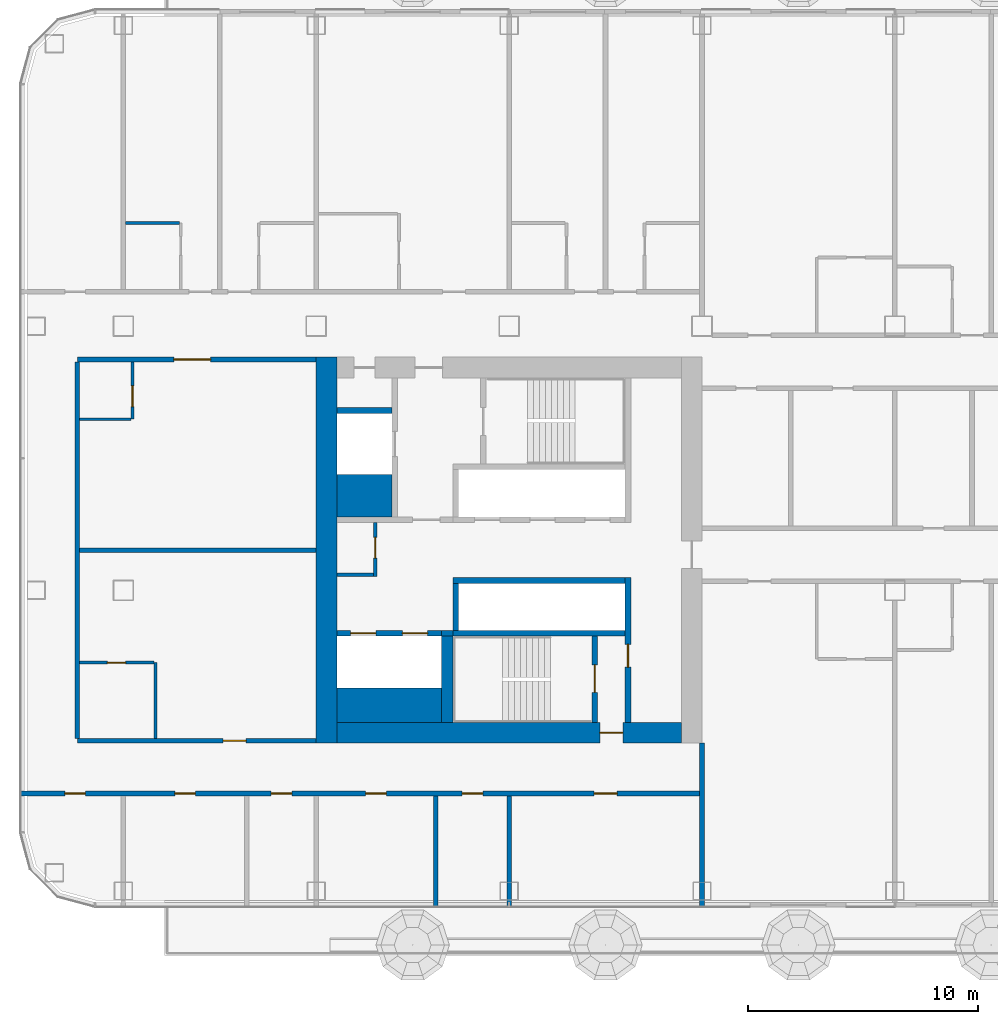
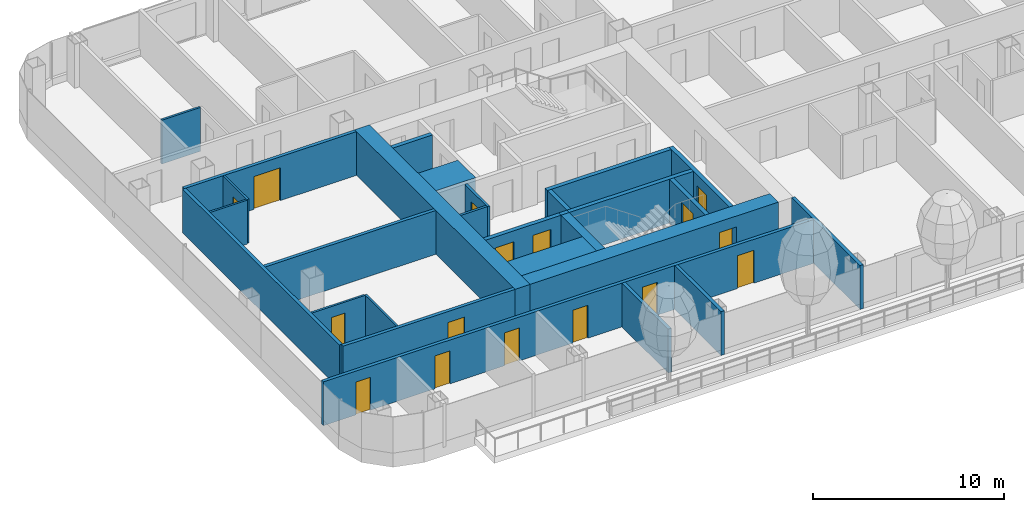
# One storey, part 11 of 33: 28 walls, 16 doors, 16 openings.
"""IFC4 building model written with IfcOpenShell, lengths in metres."""

from ifc_helpers import new_model, si_unit, direction, frame, frame_2d, origin, place, context, subcontext, project, spatial, rectangle, extrude, material, layer, layer_set, type_object, element, fill, save


model = new_model("IFC4")

# Units and contexts
model_context = context("Model", 3, precision=1e-05, world=origin(), true_north=direction((0.0, 1.0)))
body_context = subcontext(model_context, "Body", "Model", "MODEL_VIEW")
ifc_project = project(units=[si_unit("LENGTHUNIT", "METRE"), si_unit("AREAUNIT", "SQUARE_METRE"), si_unit("VOLUMEUNIT", "CUBIC_METRE"), si_unit("PLANEANGLEUNIT", "RADIAN"), si_unit("MASSUNIT", "GRAM", prefix="KILO")], contexts=[model_context])

# Site, building, storey
site_placement = place(None, origin())
site = spatial("IfcSite", under=ifc_project, at=site_placement, CompositionType="ELEMENT")
building_placement = place(site_placement, origin())
building = spatial("IfcBuilding", under=site, at=building_placement, Name="Hakoniwa Tower and Hamabe Station Hall", CompositionType="ELEMENT")
storey_placement = place(building_placement, frame((0.0, 0.0, 81.800048828125)))
storey = spatial("IfcBuildingStorey", under=building, at=storey_placement, Name="L22", CompositionType="ELEMENT", Elevation=81.800048828125)

# Wall, opening, door
ifc_material_1 = material(Name="Gypsum board partition", Category="gypsum")
ifc_layer_1 = layer(ifc_material_1, 0.125)
ifc_layer_set_1 = layer_set([ifc_layer_1], Name="Bathroom Partition 125")
wall_type_1 = type_object("IfcWallType", Name="Bathroom Partition 125", PredefinedType="PARTITIONING", material=ifc_layer_set_1)
wall_1_placement = place(storey_placement, frame((-43.89990234375, -4.89990234375, 0.0), z_axis=(0.0, 0.0, 1.0), x_axis=(1.0, 0.0, 0.0)))
wall_1 = element("IfcWall", 1, at=wall_1_placement, inside=storey, type_object=wall_type_1, Name="GW-L22-006", PredefinedType="PARTITIONING", context=body_context, shape_type="SweptSolid", body=[
    extrude(rectangle(XDim=3.2373046875, YDim=0.125, at=frame_2d((1.61865234375, 0.0))), origin(), (0.0, 0.0, 1.0), 2.800048828125),
])
opening_1_placement = place(wall_1_placement, frame((1.199951171875, 0.0, 0.0)))
opening_1 = element("IfcOpeningElement", 2, at=opening_1_placement, cuts=wall_1, Name="Opening GD-G2C0-15", PredefinedType="OPENING", context=body_context, shape_type="SweptSolid", body=[
    extrude(rectangle(XDim=0.800048828125, YDim=2.10009765625, at=frame_2d((0.39990234375, 1.050048828125))), frame((0.0, 0.072509765625, 0.0), z_axis=(0.0, -1.0, 0.0), x_axis=(1.0, 0.0, 0.0)), (0.0, 0.0, 1.0), 0.14501953125),
])
ifc_material_2 = material(Name="Timber door leaf", Category="wood")
door_type_1 = type_object("IfcDoorType", Name="Bathroom Door 800", OperationType="SINGLE_SWING_LEFT", PredefinedType="DOOR", material=ifc_material_2)
door_1_placement = place(opening_1_placement, origin())
door_1 = element("IfcDoor", 3, at=door_1_placement, inside=storey, type_object=door_type_1, Name="Door GD-G2C0-15", OperationType="SINGLE_SWING_LEFT", OverallHeight=2.10009765625, OverallWidth=0.800048828125, PredefinedType="DOOR", context=body_context, shape_type="SweptSolid", body=[
    extrude(rectangle(XDim=0.800048828125, YDim=2.10009765625, at=frame_2d((0.39990234375, 1.050048828125))), frame((0.0, 0.02490234375, 0.0), z_axis=(0.0, -1.0, 0.0), x_axis=(1.0, 0.0, 0.0)), (0.0, 0.0, 1.0), 0.050048828125),
])
fill(opening_1, door_1)

# Walls
wall_2_placement = place(storey_placement, frame((-41.89990234375, 14.25, 0.0), z_axis=(0.0, 0.0, 1.0), x_axis=(1.0, 0.0, 0.0)))
element("IfcWall", 4, at=wall_2_placement, inside=storey, type_object=wall_type_1, Name="GW-L22-027", PredefinedType="PARTITIONING", context=body_context, shape_type="SweptSolid", body=[
    extrude(rectangle(XDim=2.33740234375, YDim=0.125, at=frame_2d((1.168701171875, 0.0))), origin(), (0.0, 0.0, 1.0), 2.800048828125),
])
wall_3_placement = place(storey_placement, frame((-40.60009765625, -8.199951171875, 0.0), z_axis=(0.0, 0.0, 1.0), x_axis=(0.0, 1.0, 0.0)))
element("IfcWall", 5, at=wall_3_placement, inside=storey, type_object=wall_type_1, Name="GW-L22-040", PredefinedType="PARTITIONING", context=body_context, shape_type="SweptSolid", body=[
    extrude(rectangle(XDim=3.300048828125, YDim=0.125, at=frame_2d((1.64990234375, 0.0))), origin(), (0.0, 0.0, 1.0), 2.800048828125),
])

# Wall, opening, door
ifc_material_3 = material(Name="Gypsum board partition")
ifc_layer_2 = layer(ifc_material_3, 0.14990234375)
ifc_layer_set_2 = layer_set([ifc_layer_2], Name="CORE PARTITION 150 EI 60")
wall_type_2 = type_object("IfcWallType", Name="CORE PARTITION 150 EI 60", PredefinedType="PARTITIONING", material=ifc_layer_set_2)
wall_4_placement = place(storey_placement, frame((-31.02490234375, -1.14990234375, 0.0), z_axis=(0.0, 0.0, 1.0), x_axis=(0.0, 1.0, 0.0)))
wall_4 = element("IfcWall", 6, at=wall_4_placement, inside=storey, type_object=wall_type_2, Name="Core partition PW0 west", PredefinedType="PARTITIONING", context=body_context, shape_type="SweptSolid", body=[
    extrude(rectangle(XDim=2.349853515625, YDim=0.14990234375, at=frame_2d((1.1748046875, 0.0))), origin(), (0.0, 0.0, 1.0), 2.800048828125),
])
opening_2_placement = place(wall_4_placement, frame((0.800048828125, 0.0, 0.0)))
opening_2 = element("IfcOpeningElement", 7, at=opening_2_placement, cuts=wall_4, Name="Opening CD-W-RM1-9", PredefinedType="OPENING", context=body_context, shape_type="SweptSolid", body=[
    extrude(rectangle(XDim=0.89990234375, YDim=2.10009765625, at=frame_2d((0.449951171875, 1.050048828125))), frame((0.0, 0.0849609375, 0.0), z_axis=(0.0, -1.0, 0.0), x_axis=(1.0, 0.0, 0.0)), (0.0, 0.0, 1.0), 0.169921875),
])
ifc_material_4 = material(Name="Steel fire door", Category="steel")
door_type_2 = type_object("IfcDoorType", Name="CORE DOOR 900 FD30", OperationType="NOTDEFINED", PredefinedType="DOOR", material=ifc_material_4)
door_2_placement = place(opening_2_placement, origin())
door_2 = element("IfcDoor", 8, at=door_2_placement, inside=storey, type_object=door_type_2, Name="Store room door", OperationType="SINGLE_SWING_RIGHT", OverallHeight=2.10009765625, OverallWidth=0.89990234375, PredefinedType="DOOR", context=body_context, shape_type="SweptSolid", body=[
    extrude(rectangle(XDim=0.89990234375, YDim=2.10009765625, at=frame_2d((0.449951171875, 1.050048828125))), frame((0.0, 0.02490234375, 0.0), z_axis=(0.0, -1.0, 0.0), x_axis=(1.0, 0.0, 0.0)), (0.0, 0.0, 1.0), 0.050048828125),
])
fill(opening_2, door_2)

# Walls
wall_5_placement = place(storey_placement, frame((-32.699951171875, -1.074951171875, 0.0), z_axis=(0.0, 0.0, 1.0), x_axis=(1.0, 0.0, 0.0)))
element("IfcWall", 9, at=wall_5_placement, inside=storey, type_object=wall_type_2, Name="Core partition PS west", PredefinedType="PARTITIONING", context=body_context, shape_type="SweptSolid", body=[
    extrude(rectangle(XDim=1.599853515625, YDim=0.14990234375, at=frame_2d((0.7998046875, 0.0))), origin(), (0.0, 0.0, 1.0), 2.800048828125),
])
ifc_material_5 = material(Name="Concrete C72", Category="concrete")
ifc_layer_3 = layer(ifc_material_5, 0.89990234375)
ifc_layer_set_3 = layer_set([ifc_layer_3], Name="CORE WALL 900 C72")
wall_type_3 = type_object("IfcWallType", Name="CORE WALL 900 C72", PredefinedType="SHEAR", material=ifc_layer_set_3)
wall_6_placement = place(storey_placement, frame((-33.14990234375, -8.39990234375, 0.0), z_axis=(0.0, 0.0, 1.0), x_axis=(0.0, 1.0, 0.0)))
element("IfcWall", 10, at=wall_6_placement, inside=storey, type_object=wall_type_3, Name="Core wall OUTER west", PredefinedType="SHEAR", context=body_context, shape_type="SweptSolid", body=[
    extrude(rectangle(XDim=16.7998046875, YDim=0.89990234375, at=frame_2d((8.39990234375, 0.0))), origin(), (0.0, 0.0, 1.0), 2.800048828125),
])

# Wall, opening, door
wall_7_placement = place(storey_placement, frame((-32.699951171875, -7.949951171875, 0.0), z_axis=(0.0, 0.0, 1.0), x_axis=(1.0, 0.0, 0.0)))
wall_7 = element("IfcWall", 11, at=wall_7_placement, inside=storey, type_object=wall_type_3, Name="Core wall SOUTH west", PredefinedType="SHEAR", context=body_context, shape_type="SweptSolid", body=[
    extrude(rectangle(XDim=15.0, YDim=0.89990234375, at=frame_2d((7.5, 0.0))), origin(), (0.0, 0.0, 1.0), 2.800048828125),
])
opening_3_placement = place(wall_7_placement, frame((11.449951171875, 0.0, 0.0)))
opening_3 = element("IfcOpeningElement", 12, at=opening_3_placement, cuts=wall_7, Name="Opening CD-W-FS3-10", PredefinedType="OPENING", context=body_context, shape_type="SweptSolid", body=[
    extrude(rectangle(XDim=1.0, YDim=2.10009765625, at=frame_2d((0.5, 1.050048828125))), frame((0.0, 0.4599609375, 0.0), z_axis=(0.0, -1.0, 0.0), x_axis=(1.0, 0.0, 0.0)), (0.0, 0.0, 1.0), 0.919921875),
])
ifc_material_6 = material(Name="Steel fire door", Category="steel")
door_type_3 = type_object("IfcDoorType", Name="CORE DOOR 1000 FD60", OperationType="NOTDEFINED", PredefinedType="DOOR", material=ifc_material_6)
door_3_placement = place(opening_3_placement, origin())
door_3 = element("IfcDoor", 13, at=door_3_placement, inside=storey, type_object=door_type_3, Name="Stair vestibule door", OperationType="SINGLE_SWING_LEFT", OverallHeight=2.10009765625, OverallWidth=1.0, PredefinedType="DOOR", context=body_context, shape_type="SweptSolid", body=[
    extrude(rectangle(XDim=1.0, YDim=2.10009765625, at=frame_2d((0.5, 1.050048828125))), frame((0.0, 0.02490234375, 0.0), z_axis=(0.0, -1.0, 0.0), x_axis=(1.0, 0.0, 0.0)), (0.0, 0.0, 1.0), 0.050048828125),
])
fill(opening_3, door_3)

# Walls
ifc_material_7 = material(Name="Concrete C72", Category="concrete")
ifc_layer_4 = layer(ifc_material_7, 1.5)
ifc_layer_set_4 = layer_set([ifc_layer_4], Name="CORE WEB WALL 1500 C72")
wall_type_4 = type_object("IfcWallType", Name="CORE WEB WALL 1500 C72", PredefinedType="SHEAR", material=ifc_layer_set_4)
wall_8_placement = place(storey_placement, frame((-32.699951171875, -6.75, 0.0), z_axis=(0.0, 0.0, 1.0), x_axis=(1.0, 0.0, 0.0)))
element("IfcWall", 14, at=wall_8_placement, inside=storey, type_object=wall_type_4, Name="Core wall SER west", PredefinedType="SHEAR", context=body_context, shape_type="SweptSolid", body=[
    extrude(rectangle(XDim=4.550048828125, YDim=1.5, at=frame_2d((2.27490234375, 0.0))), origin(), (0.0, 0.0, 1.0), 2.800048828125),
])
ifc_material_8 = material(Name="Concrete C72", Category="concrete")
ifc_layer_5 = layer(ifc_material_8, 1.85009765625)
ifc_layer_set_5 = layer_set([ifc_layer_5], Name="CORE WEB WALL 1850 C72")
wall_type_5 = type_object("IfcWallType", Name="CORE WEB WALL 1850 C72", PredefinedType="SHEAR", material=ifc_layer_set_5)
wall_9_placement = place(storey_placement, frame((-32.699951171875, 2.375, 0.0), z_axis=(0.0, 0.0, 1.0), x_axis=(1.0, 0.0, 0.0)))
element("IfcWall", 15, at=wall_9_placement, inside=storey, type_object=wall_type_5, Name="Core wall CA west", PredefinedType="SHEAR", context=body_context, shape_type="SweptSolid", body=[
    extrude(rectangle(XDim=2.39990234375, YDim=1.85009765625, at=frame_2d((1.199951171875, 0.0))), origin(), (0.0, 0.0, 1.0), 2.800048828125),
])

# Wall, opening, door
ifc_material_9 = material(Name="Concrete C72", Category="concrete")
ifc_layer_6 = layer(ifc_material_9, 0.25)
ifc_layer_set_6 = layer_set([ifc_layer_6], Name="CORE WEB WALL 250 C72")
wall_type_6 = type_object("IfcWallType", Name="CORE WEB WALL 250 C72", PredefinedType="SHEAR", material=ifc_layer_set_6)
wall_10_placement = place(storey_placement, frame((-20.02490234375, -7.5, 0.0), z_axis=(0.0, 0.0, 1.0), x_axis=(0.0, 1.0, 0.0)))
wall_10 = element("IfcWall", 16, at=wall_10_placement, inside=storey, type_object=wall_type_6, Name="Core wall W1S west", PredefinedType="SHEAR", context=body_context, shape_type="SweptSolid", body=[
    extrude(rectangle(XDim=6.300048828125, YDim=0.25, at=frame_2d((3.14990234375, 0.0))), origin(), (0.0, 0.0, 1.0), 2.800048828125),
])
opening_4_placement = place(wall_10_placement, frame((2.39990234375, 0.0, 0.0)))
opening_4 = element("IfcOpeningElement", 17, at=opening_4_placement, cuts=wall_10, Name="Opening CD-W-VS-10", PredefinedType="OPENING", context=body_context, shape_type="SweptSolid", body=[
    extrude(rectangle(XDim=1.0, YDim=2.10009765625, at=frame_2d((0.5, 1.050048828125))), frame((0.0, 0.135009765625, 0.0), z_axis=(0.0, -1.0, 0.0), x_axis=(1.0, 0.0, 0.0)), (0.0, 0.0, 1.0), 0.27001953125),
])
door_4_placement = place(opening_4_placement, origin())
door_4 = element("IfcDoor", 18, at=door_4_placement, inside=storey, type_object=door_type_3, Name="Stair vestibule door", OperationType="SINGLE_SWING_LEFT", OverallHeight=2.10009765625, OverallWidth=1.0, PredefinedType="DOOR", context=body_context, shape_type="SweptSolid", body=[
    extrude(rectangle(XDim=1.0, YDim=2.10009765625, at=frame_2d((0.5, 1.050048828125))), frame((0.0, 0.02490234375, 0.0), z_axis=(0.0, -1.0, 0.0), x_axis=(1.0, 0.0, 0.0)), (0.0, 0.0, 1.0), 0.050048828125),
])
fill(opening_4, door_4)

# Walls
wall_11_placement = place(storey_placement, frame((-32.699951171875, 6.074951171875, 0.0), z_axis=(0.0, 0.0, 1.0), x_axis=(1.0, 0.0, 0.0)))
element("IfcWall", 19, at=wall_11_placement, inside=storey, type_object=wall_type_6, Name="Core wall C2 west", PredefinedType="SHEAR", context=body_context, shape_type="SweptSolid", body=[
    extrude(rectangle(XDim=2.39990234375, YDim=0.25, at=frame_2d((1.199951171875, 0.0))), origin(), (0.0, 0.0, 1.0), 2.800048828125),
])
wall_12_placement = place(storey_placement, frame((-27.64990234375, -1.324951171875, 0.0), z_axis=(0.0, 0.0, 1.0), x_axis=(1.0, 0.0, 0.0)))
element("IfcWall", 20, at=wall_12_placement, inside=storey, type_object=wall_type_6, Name="Core wall SF west", PredefinedType="SHEAR", context=body_context, shape_type="SweptSolid", body=[
    extrude(rectangle(XDim=7.5, YDim=0.25, at=frame_2d((3.75, 0.0))), origin(), (0.0, 0.0, 1.0), 2.800048828125),
])
wall_13_placement = place(storey_placement, frame((-27.52490234375, -3.5, 0.0), z_axis=(0.0, 0.0, 1.0), x_axis=(0.0, 1.0, 0.0)))
element("IfcWall", 21, at=wall_13_placement, inside=storey, type_object=wall_type_6, Name="Core wall SE west", PredefinedType="SHEAR", context=body_context, shape_type="SweptSolid", body=[
    extrude(rectangle(XDim=2.050048828125, YDim=0.25, at=frame_2d((1.02490234375, 0.0))), origin(), (0.0, 0.0, 1.0), 2.800048828125),
])
wall_14_placement = place(storey_placement, frame((-27.64990234375, -3.625, 0.0), z_axis=(0.0, 0.0, 1.0), x_axis=(1.0, 0.0, 0.0)))
element("IfcWall", 22, at=wall_14_placement, inside=storey, type_object=wall_type_6, Name="Core wall SR west", PredefinedType="SHEAR", context=body_context, shape_type="SweptSolid", body=[
    extrude(rectangle(XDim=7.5, YDim=0.25, at=frame_2d((3.75, 0.0))), origin(), (0.0, 0.0, 1.0), 2.800048828125),
])

# Wall, opening, door
wall_15_placement = place(storey_placement, frame((-21.47509765625, -7.5, 0.0), z_axis=(0.0, 0.0, 1.0), x_axis=(0.0, 1.0, 0.0)))
wall_15 = element("IfcWall", 23, at=wall_15_placement, inside=storey, type_object=wall_type_6, Name="Core wall VE west", PredefinedType="SHEAR", context=body_context, shape_type="SweptSolid", body=[
    extrude(rectangle(XDim=3.75, YDim=0.25, at=frame_2d((1.875, 0.0))), origin(), (0.0, 0.0, 1.0), 2.800048828125),
])
opening_5_placement = place(wall_15_placement, frame((1.300048828125, 0.0, 0.0)))
opening_5 = element("IfcOpeningElement", 24, at=opening_5_placement, cuts=wall_15, Name="Opening CD-W-SS-12", PredefinedType="OPENING", context=body_context, shape_type="SweptSolid", body=[
    extrude(rectangle(XDim=1.199951171875, YDim=2.10009765625, at=frame_2d((0.60009765625, 1.050048828125))), frame((0.0, 0.135009765625, 0.0), z_axis=(0.0, -1.0, 0.0), x_axis=(1.0, 0.0, 0.0)), (0.0, 0.0, 1.0), 0.27001953125),
])
ifc_material_10 = material(Name="Steel fire door", Category="steel")
door_type_4 = type_object("IfcDoorType", Name="CORE DOOR 1200 FD60", OperationType="DOUBLE_DOOR_SINGLE_SWING", PredefinedType="DOOR", material=ifc_material_10)
door_5_placement = place(opening_5_placement, origin())
door_5 = element("IfcDoor", 25, at=door_5_placement, inside=storey, type_object=door_type_4, Name="Escape stair door", OperationType="DOUBLE_DOOR_SINGLE_SWING", OverallHeight=2.10009765625, OverallWidth=1.199951171875, PredefinedType="DOOR", context=body_context, shape_type="SweptSolid", body=[
    extrude(rectangle(XDim=1.199951171875, YDim=2.10009765625, at=frame_2d((0.60009765625, 1.050048828125))), frame((0.0, 0.02490234375, 0.0), z_axis=(0.0, -1.0, 0.0), x_axis=(1.0, 0.0, 0.0)), (0.0, 0.0, 1.0), 0.050048828125),
])
fill(opening_5, door_5)

# Wall, openings, doors
wall_16_placement = place(storey_placement, frame((-32.699951171875, -3.625, 0.0), z_axis=(0.0, 0.0, 1.0), x_axis=(1.0, 0.0, 0.0)))
wall_16 = element("IfcWall", 26, at=wall_16_placement, inside=storey, type_object=wall_type_6, Name="Core wall SEF west", PredefinedType="SHEAR", context=body_context, shape_type="SweptSolid", body=[
    extrude(rectangle(XDim=4.550048828125, YDim=0.25, at=frame_2d((2.27490234375, 0.0))), origin(), (0.0, 0.0, 1.0), 2.800048828125),
])
opening_6_placement = place(wall_16_placement, frame((2.85009765625, 0.0, 0.0)))
opening_6 = element("IfcOpeningElement", 27, at=opening_6_placement, cuts=wall_16, Name="Opening LD-SV1", PredefinedType="OPENING", context=body_context, shape_type="SweptSolid", body=[
    extrude(rectangle(XDim=1.10009765625, YDim=2.10009765625, at=frame_2d((0.550048828125, 1.050048828125))), frame((0.0, 0.135009765625, 0.0), z_axis=(0.0, -1.0, 0.0), x_axis=(1.0, 0.0, 0.0)), (0.0, 0.0, 1.0), 0.27001953125),
])
opening_7_placement = place(wall_16_placement, frame((0.60009765625, 0.0, 0.0)))
opening_7 = element("IfcOpeningElement", 28, at=opening_7_placement, cuts=wall_16, Name="Opening LD-SV2", PredefinedType="OPENING", context=body_context, shape_type="SweptSolid", body=[
    extrude(rectangle(XDim=1.10009765625, YDim=2.10009765625, at=frame_2d((0.550048828125, 1.050048828125))), frame((0.0, 0.135009765625, 0.0), z_axis=(0.0, -1.0, 0.0), x_axis=(1.0, 0.0, 0.0)), (0.0, 0.0, 1.0), 0.27001953125),
])
ifc_material_11 = material(Name="Stainless steel SUS304", Category="steel")
door_type_5 = type_object("IfcDoorType", Name="LIFT LANDING DOOR 1100 FD60", OperationType="DOUBLE_DOOR_SLIDING", PredefinedType="DOOR", material=ifc_material_11)
door_6_placement = place(opening_6_placement, origin())
door_6 = element("IfcDoor", 29, at=door_6_placement, inside=storey, type_object=door_type_5, Name="Lift landing door SV1 L22", OperationType="DOUBLE_DOOR_SLIDING", OverallHeight=2.10009765625, OverallWidth=1.10009765625, PredefinedType="DOOR", context=body_context, shape_type="SweptSolid", body=[
    extrude(rectangle(XDim=1.10009765625, YDim=2.10009765625, at=frame_2d((0.550048828125, 1.050048828125))), frame((0.0, 0.02490234375, 0.0), z_axis=(0.0, -1.0, 0.0), x_axis=(1.0, 0.0, 0.0)), (0.0, 0.0, 1.0), 0.050048828125),
])
fill(opening_6, door_6)
door_7_placement = place(opening_7_placement, origin())
door_7 = element("IfcDoor", 30, at=door_7_placement, inside=storey, type_object=door_type_5, Name="Lift landing door SV2 L22", OperationType="DOUBLE_DOOR_SLIDING", OverallHeight=2.10009765625, OverallWidth=1.10009765625, PredefinedType="DOOR", context=body_context, shape_type="SweptSolid", body=[
    extrude(rectangle(XDim=1.10009765625, YDim=2.10009765625, at=frame_2d((0.550048828125, 1.050048828125))), frame((0.0, 0.02490234375, 0.0), z_axis=(0.0, -1.0, 0.0), x_axis=(1.0, 0.0, 0.0)), (0.0, 0.0, 1.0), 0.050048828125),
])
fill(opening_7, door_7)

# Walls
wall_17_placement = place(storey_placement, frame((-28.14990234375, -3.625, 0.0), z_axis=(0.0, 0.0, 1.0), x_axis=(1.0, 0.0, 0.0)))
element("IfcWall", 31, at=wall_17_placement, inside=storey, type_object=wall_type_6, Name="Core wall SRK west", PredefinedType="SHEAR", context=body_context, shape_type="SweptSolid", body=[
    extrude(rectangle(XDim=0.5, YDim=0.25, at=frame_2d((0.25, 0.0))), origin(), (0.0, 0.0, 1.0), 2.800048828125),
])
ifc_material_12 = material(Name="Concrete C72", Category="concrete")
ifc_layer_7 = layer(ifc_material_12, 0.5)
ifc_layer_set_7 = layer_set([ifc_layer_7], Name="CORE WEB WALL 500 C72")
wall_type_7 = type_object("IfcWallType", Name="CORE WEB WALL 500 C72", PredefinedType="SHEAR", material=ifc_layer_set_7)
wall_18_placement = place(storey_placement, frame((-27.89990234375, -7.5, 0.0), z_axis=(0.0, 0.0, 1.0), x_axis=(0.0, 1.0, 0.0)))
element("IfcWall", 32, at=wall_18_placement, inside=storey, type_object=wall_type_7, Name="Core wall SSE west", PredefinedType="SHEAR", context=body_context, shape_type="SweptSolid", body=[
    extrude(rectangle(XDim=3.75, YDim=0.5, at=frame_2d((1.875, 0.0))), origin(), (0.0, 0.0, 1.0), 2.800048828125),
])

# Wall, openings, doors
ifc_material_13 = material(Name="Fire-rated gypsum board partition", Category="gypsum")
ifc_layer_8 = layer(ifc_material_13, 0.199951171875)
ifc_layer_set_8 = layer_set([ifc_layer_8], Name="Corridor Wall 200")
wall_type_8 = type_object("IfcWallType", Name="Corridor Wall 200", PredefinedType="PARTITIONING", material=ifc_layer_set_8)
wall_19_placement = place(storey_placement, frame((-46.5, -10.60009765625, 0.0), z_axis=(0.0, 0.0, 1.0), x_axis=(1.0, 0.0, 0.0)))
wall_19 = element("IfcWall", 33, at=wall_19_placement, inside=storey, type_object=wall_type_8, Name="GW-L22-001", PredefinedType="PARTITIONING", context=body_context, shape_type="SweptSolid", body=[
    extrude(rectangle(XDim=29.699951171875, YDim=0.199951171875, at=frame_2d((14.85009765625, 0.0))), origin(), (0.0, 0.0, 1.0), 2.800048828125),
])
opening_8_placement = place(wall_19_placement, frame((1.949951171875, 0.0, 0.0)))
opening_8 = element("IfcOpeningElement", 34, at=opening_8_placement, cuts=wall_19, Name="Opening GD-G2C0-01", PredefinedType="OPENING", context=body_context, shape_type="SweptSolid", body=[
    extrude(rectangle(XDim=0.89990234375, YDim=2.10009765625, at=frame_2d((0.449951171875, 1.050048828125))), frame((0.0, 0.10986328125, 0.0), z_axis=(0.0, -1.0, 0.0), x_axis=(1.0, 0.0, 0.0)), (0.0, 0.0, 1.0), 0.219970703125),
])
opening_9_placement = place(wall_19_placement, frame((6.739990234375, 0.0, 0.0)))
opening_9 = element("IfcOpeningElement", 35, at=opening_9_placement, cuts=wall_19, Name="Opening GD-G2C0-02", PredefinedType="OPENING", context=body_context, shape_type="SweptSolid", body=[
    extrude(rectangle(XDim=0.89990234375, YDim=2.10009765625, at=frame_2d((0.449951171875, 1.050048828125))), frame((0.0, 0.10986328125, 0.0), z_axis=(0.0, -1.0, 0.0), x_axis=(1.0, 0.0, 0.0)), (0.0, 0.0, 1.0), 0.219970703125),
])
opening_10_placement = place(wall_19_placement, frame((10.93994140625, 0.0, 0.0)))
opening_10 = element("IfcOpeningElement", 36, at=opening_10_placement, cuts=wall_19, Name="Opening GD-G2C0-03", PredefinedType="OPENING", context=body_context, shape_type="SweptSolid", body=[
    extrude(rectangle(XDim=0.89990234375, YDim=2.10009765625, at=frame_2d((0.449951171875, 1.050048828125))), frame((0.0, 0.10986328125, 0.0), z_axis=(0.0, -1.0, 0.0), x_axis=(1.0, 0.0, 0.0)), (0.0, 0.0, 1.0), 0.219970703125),
])
opening_11_placement = place(wall_19_placement, frame((15.054931640625, 0.0, 0.0)))
opening_11 = element("IfcOpeningElement", 37, at=opening_11_placement, cuts=wall_19, Name="Opening GD-G2C0-04", PredefinedType="OPENING", context=body_context, shape_type="SweptSolid", body=[
    extrude(rectangle(XDim=0.89990234375, YDim=2.10009765625, at=frame_2d((0.449951171875, 1.050048828125))), frame((0.0, 0.10986328125, 0.0), z_axis=(0.0, -1.0, 0.0), x_axis=(1.0, 0.0, 0.0)), (0.0, 0.0, 1.0), 0.219970703125),
])
opening_12_placement = place(wall_19_placement, frame((19.2548828125, 0.0, 0.0)))
opening_12 = element("IfcOpeningElement", 38, at=opening_12_placement, cuts=wall_19, Name="Opening GD-G2C0-05", PredefinedType="OPENING", context=body_context, shape_type="SweptSolid", body=[
    extrude(rectangle(XDim=0.89990234375, YDim=2.10009765625, at=frame_2d((0.449951171875, 1.050048828125))), frame((0.0, 0.10986328125, 0.0), z_axis=(0.0, -1.0, 0.0), x_axis=(1.0, 0.0, 0.0)), (0.0, 0.0, 1.0), 0.219970703125),
])
opening_13_placement = place(wall_19_placement, frame((25.0, 0.0, 0.0)))
opening_13 = element("IfcOpeningElement", 39, at=opening_13_placement, cuts=wall_19, Name="Opening GD-G2C0-06", PredefinedType="OPENING", context=body_context, shape_type="SweptSolid", body=[
    extrude(rectangle(XDim=1.0, YDim=2.10009765625, at=frame_2d((0.5, 1.050048828125))), frame((0.0, 0.10986328125, 0.0), z_axis=(0.0, -1.0, 0.0), x_axis=(1.0, 0.0, 0.0)), (0.0, 0.0, 1.0), 0.219970703125),
])
ifc_material_14 = material(Name="Timber door leaf", Category="wood")
door_type_6 = type_object("IfcDoorType", Name="Guest Entrance Door 1000", OperationType="SINGLE_SWING_LEFT", PredefinedType="DOOR", material=ifc_material_14)
door_8_placement = place(opening_13_placement, origin())
door_8 = element("IfcDoor", 40, at=door_8_placement, inside=storey, type_object=door_type_6, Name="Door GD-G2C0-06", OperationType="SINGLE_SWING_LEFT", OverallHeight=2.10009765625, OverallWidth=1.0, PredefinedType="DOOR", context=body_context, shape_type="SweptSolid", body=[
    extrude(rectangle(XDim=1.0, YDim=2.10009765625, at=frame_2d((0.5, 1.050048828125))), frame((0.0, 0.02490234375, 0.0), z_axis=(0.0, -1.0, 0.0), x_axis=(1.0, 0.0, 0.0)), (0.0, 0.0, 1.0), 0.050048828125),
])
fill(opening_13, door_8)
ifc_material_15 = material(Name="Timber door leaf", Category="wood")
door_type_7 = type_object("IfcDoorType", Name="Service Door 900", OperationType="SINGLE_SWING_LEFT", PredefinedType="DOOR", material=ifc_material_15)
door_9_placement = place(opening_8_placement, origin())
door_9 = element("IfcDoor", 41, at=door_9_placement, inside=storey, type_object=door_type_7, Name="Door GD-G2C0-01", OperationType="SINGLE_SWING_RIGHT", OverallHeight=2.10009765625, OverallWidth=0.89990234375, PredefinedType="DOOR", context=body_context, shape_type="SweptSolid", body=[
    extrude(rectangle(XDim=0.89990234375, YDim=2.10009765625, at=frame_2d((0.449951171875, 1.050048828125))), frame((0.0, 0.02490234375, 0.0), z_axis=(0.0, -1.0, 0.0), x_axis=(1.0, 0.0, 0.0)), (0.0, 0.0, 1.0), 0.050048828125),
])
fill(opening_8, door_9)
door_10_placement = place(opening_9_placement, origin())
door_10 = element("IfcDoor", 42, at=door_10_placement, inside=storey, type_object=door_type_7, Name="Door GD-G2C0-02", OperationType="SINGLE_SWING_LEFT", OverallHeight=2.10009765625, OverallWidth=0.89990234375, PredefinedType="DOOR", context=body_context, shape_type="SweptSolid", body=[
    extrude(rectangle(XDim=0.89990234375, YDim=2.10009765625, at=frame_2d((0.449951171875, 1.050048828125))), frame((0.0, 0.02490234375, 0.0), z_axis=(0.0, -1.0, 0.0), x_axis=(1.0, 0.0, 0.0)), (0.0, 0.0, 1.0), 0.050048828125),
])
fill(opening_9, door_10)
door_11_placement = place(opening_10_placement, origin())
door_11 = element("IfcDoor", 43, at=door_11_placement, inside=storey, type_object=door_type_7, Name="Door GD-G2C0-03", OperationType="SINGLE_SWING_RIGHT", OverallHeight=2.10009765625, OverallWidth=0.89990234375, PredefinedType="DOOR", context=body_context, shape_type="SweptSolid", body=[
    extrude(rectangle(XDim=0.89990234375, YDim=2.10009765625, at=frame_2d((0.449951171875, 1.050048828125))), frame((0.0, 0.02490234375, 0.0), z_axis=(0.0, -1.0, 0.0), x_axis=(1.0, 0.0, 0.0)), (0.0, 0.0, 1.0), 0.050048828125),
])
fill(opening_10, door_11)
door_12_placement = place(opening_11_placement, origin())
door_12 = element("IfcDoor", 44, at=door_12_placement, inside=storey, type_object=door_type_7, Name="Door GD-G2C0-04", OperationType="SINGLE_SWING_LEFT", OverallHeight=2.10009765625, OverallWidth=0.89990234375, PredefinedType="DOOR", context=body_context, shape_type="SweptSolid", body=[
    extrude(rectangle(XDim=0.89990234375, YDim=2.10009765625, at=frame_2d((0.449951171875, 1.050048828125))), frame((0.0, 0.02490234375, 0.0), z_axis=(0.0, -1.0, 0.0), x_axis=(1.0, 0.0, 0.0)), (0.0, 0.0, 1.0), 0.050048828125),
])
fill(opening_11, door_12)
door_13_placement = place(opening_12_placement, origin())
door_13 = element("IfcDoor", 45, at=door_13_placement, inside=storey, type_object=door_type_7, Name="Door GD-G2C0-05", OperationType="SINGLE_SWING_RIGHT", OverallHeight=2.10009765625, OverallWidth=0.89990234375, PredefinedType="DOOR", context=body_context, shape_type="SweptSolid", body=[
    extrude(rectangle(XDim=0.89990234375, YDim=2.10009765625, at=frame_2d((0.449951171875, 1.050048828125))), frame((0.0, 0.02490234375, 0.0), z_axis=(0.0, -1.0, 0.0), x_axis=(1.0, 0.0, 0.0)), (0.0, 0.0, 1.0), 0.050048828125),
])
fill(opening_12, door_13)

# Wall, opening, door
wall_20_placement = place(storey_placement, frame((-44.0, -8.300048828125, 0.0), z_axis=(0.0, 0.0, 1.0), x_axis=(1.0, 0.0, 0.0)))
wall_20 = element("IfcWall", 46, at=wall_20_placement, inside=storey, type_object=wall_type_8, Name="GW-L22-003", PredefinedType="PARTITIONING", context=body_context, shape_type="SweptSolid", body=[
    extrude(rectangle(XDim=10.39990234375, YDim=0.199951171875, at=frame_2d((5.199951171875, 0.0))), origin(), (0.0, 0.0, 1.0), 2.800048828125),
])
opening_14_placement = place(wall_20_placement, frame((6.35009765625, 0.0, 0.0)))
opening_14 = element("IfcOpeningElement", 47, at=opening_14_placement, cuts=wall_20, Name="Opening GD-G2C0-13", PredefinedType="OPENING", context=body_context, shape_type="SweptSolid", body=[
    extrude(rectangle(XDim=1.0, YDim=2.10009765625, at=frame_2d((0.5, 1.050048828125))), frame((0.0, 0.10986328125, 0.0), z_axis=(0.0, -1.0, 0.0), x_axis=(1.0, 0.0, 0.0)), (0.0, 0.0, 1.0), 0.219970703125),
])
door_14_placement = place(opening_14_placement, origin())
door_14 = element("IfcDoor", 48, at=door_14_placement, inside=storey, type_object=door_type_6, Name="Door GD-G2C0-13", OperationType="SINGLE_SWING_RIGHT", OverallHeight=2.10009765625, OverallWidth=1.0, PredefinedType="DOOR", context=body_context, shape_type="SweptSolid", body=[
    extrude(rectangle(XDim=1.0, YDim=2.10009765625, at=frame_2d((0.5, 1.050048828125))), frame((0.0, 0.02490234375, 0.0), z_axis=(0.0, -1.0, 0.0), x_axis=(1.0, 0.0, 0.0)), (0.0, 0.0, 1.0), 0.050048828125),
])
fill(opening_14, door_14)

wall_21_placement = place(storey_placement, frame((-44.0, 8.300048828125, 0.0), z_axis=(0.0, 0.0, 1.0), x_axis=(1.0, 0.0, 0.0)))
wall_21 = element("IfcWall", 49, at=wall_21_placement, inside=storey, type_object=wall_type_8, Name="GW-L22-019", PredefinedType="PARTITIONING", context=body_context, shape_type="SweptSolid", body=[
    extrude(rectangle(XDim=10.39990234375, YDim=0.199951171875, at=frame_2d((5.199951171875, 0.0))), origin(), (0.0, 0.0, 1.0), 2.800048828125),
])
opening_15_placement = place(wall_21_placement, frame((4.199951171875, 0.0, 0.0)))
opening_15 = element("IfcOpeningElement", 50, at=opening_15_placement, cuts=wall_21, Name="Opening GD-G2C0-32", PredefinedType="OPENING", context=body_context, shape_type="SweptSolid", body=[
    extrude(rectangle(XDim=1.60009765625, YDim=2.10009765625, at=frame_2d((0.800048828125, 1.050048828125))), frame((0.0, 0.10986328125, 0.0), z_axis=(0.0, -1.0, 0.0), x_axis=(1.0, 0.0, 0.0)), (0.0, 0.0, 1.0), 0.219970703125),
])
ifc_material_16 = material(Name="Timber door leaf", Category="wood")
door_type_8 = type_object("IfcDoorType", Name="Double Door 1600", OperationType="DOUBLE_DOOR_SINGLE_SWING", PredefinedType="DOOR", material=ifc_material_16)
door_15_placement = place(opening_15_placement, origin())
door_15 = element("IfcDoor", 51, at=door_15_placement, inside=storey, type_object=door_type_8, Name="Door GD-G2C0-32", OperationType="DOUBLE_DOOR_SINGLE_SWING", OverallHeight=2.10009765625, OverallWidth=1.60009765625, PredefinedType="DOOR", context=body_context, shape_type="SweptSolid", body=[
    extrude(rectangle(XDim=1.60009765625, YDim=2.10009765625, at=frame_2d((0.800048828125, 1.050048828125))), frame((0.0, 0.02490234375, 0.0), z_axis=(0.0, -1.0, 0.0), x_axis=(1.0, 0.0, 0.0)), (0.0, 0.0, 1.0), 0.050048828125),
])
fill(opening_15, door_15)

# Walls
ifc_material_17 = material(Name="Fire-rated gypsum board partition", Category="gypsum")
ifc_layer_9 = layer(ifc_material_17, 0.199951171875)
ifc_layer_set_9 = layer_set([ifc_layer_9], Name="Party Wall 200")
wall_type_9 = type_object("IfcWallType", Name="Party Wall 200", PredefinedType="PARTITIONING", material=ifc_layer_set_9)
wall_22_placement = place(storey_placement, frame((-43.89990234375, 0.0, 0.0), z_axis=(0.0, 0.0, 1.0), x_axis=(1.0, 0.0, 0.0)))
element("IfcWall", 52, at=wall_22_placement, inside=storey, type_object=wall_type_9, Name="GW-L22-013", PredefinedType="PARTITIONING", context=body_context, shape_type="SweptSolid", body=[
    extrude(rectangle(XDim=10.2998046875, YDim=0.199951171875, at=frame_2d((5.14990234375, 0.0))), origin(), (0.0, 0.0, 1.0), 2.800048828125),
])
wall_23_placement = place(storey_placement, frame((-44.0, -8.199951171875, 0.0), z_axis=(0.0, 0.0, 1.0), x_axis=(0.0, 1.0, 0.0)))
element("IfcWall", 53, at=wall_23_placement, inside=storey, type_object=wall_type_9, Name="GW-L22-036", PredefinedType="PARTITIONING", context=body_context, shape_type="SweptSolid", body=[
    extrude(rectangle(XDim=16.39990234375, YDim=0.199951171875, at=frame_2d((8.199951171875, 0.0))), origin(), (0.0, 0.0, 1.0), 2.800048828125),
])
for number, where, z_axis, x_axis, name in (
    (54, (-28.389892578125, -15.550048828125, 0.0), (0.0, 0.0, 1.0), (0.0, 1.0, 0.0), "GW-L22-048"),
    (55, (-25.199951171875, -15.550048828125, 0.0), (0.0, 0.0, 1.0), (0.0, 1.0, 0.0), "GW-L22-049"),
):
    element("IfcWall", number, at=place(storey_placement, frame(where, z_axis=z_axis, x_axis=x_axis)), inside=storey, type_object=wall_type_9, Name=name, PredefinedType="PARTITIONING", context=body_context, shape_type="SweptSolid", body=[
        extrude(rectangle(XDim=4.85009765625, YDim=0.199951171875, at=frame_2d((2.425048828125, 0.0))), origin(), (0.0, 0.0, 1.0), 2.800048828125),
    ])
wall_24_placement = place(storey_placement, frame((-16.800048828125, -15.550048828125, 0.0), z_axis=(0.0, 0.0, 1.0), x_axis=(0.0, 1.0, 0.0)))
element("IfcWall", 56, at=wall_24_placement, inside=storey, type_object=wall_type_9, Name="GW-L22-054", PredefinedType="PARTITIONING", context=body_context, shape_type="SweptSolid", body=[
    extrude(rectangle(XDim=7.16015625, YDim=0.199951171875, at=frame_2d((3.580078125, 0.0))), origin(), (0.0, 0.0, 1.0), 2.800048828125),
])
ifc_material_18 = material(Name="Gypsum board partition", Category="gypsum")
ifc_layer_10 = layer(ifc_material_18, 0.125)
ifc_layer_set_10 = layer_set([ifc_layer_10], Name="Room Partition 125")
wall_type_10 = type_object("IfcWallType", Name="Room Partition 125", PredefinedType="PARTITIONING", material=ifc_layer_set_10)
wall_25_placement = place(storey_placement, frame((-43.89990234375, 5.699951171875, 0.0), z_axis=(0.0, 0.0, 1.0), x_axis=(1.0, 0.0, 0.0)))
element("IfcWall", 57, at=wall_25_placement, inside=storey, type_object=wall_type_10, Name="GW-L22-017", PredefinedType="PARTITIONING", context=body_context, shape_type="SweptSolid", body=[
    extrude(rectangle(XDim=2.2373046875, YDim=0.125, at=frame_2d((1.11865234375, 0.0))), origin(), (0.0, 0.0, 1.0), 2.800048828125),
])

# Wall, opening, door
wall_26_placement = place(storey_placement, frame((-41.60009765625, 5.699951171875, 0.0), z_axis=(0.0, 0.0, 1.0), x_axis=(0.0, 1.0, 0.0)))
wall_26 = element("IfcWall", 58, at=wall_26_placement, inside=storey, type_object=wall_type_10, Name="GW-L22-039", PredefinedType="PARTITIONING", context=body_context, shape_type="SweptSolid", body=[
    extrude(rectangle(XDim=2.5, YDim=0.125, at=frame_2d((1.25, 0.0))), origin(), (0.0, 0.0, 1.0), 2.800048828125),
])
opening_16_placement = place(wall_26_placement, frame((0.550048828125, 0.0, 0.0)))
opening_16 = element("IfcOpeningElement", 59, at=opening_16_placement, cuts=wall_26, Name="Opening GD-G2C0-55", PredefinedType="OPENING", context=body_context, shape_type="SweptSolid", body=[
    extrude(rectangle(XDim=0.89990234375, YDim=2.10009765625, at=frame_2d((0.449951171875, 1.050048828125))), frame((0.0, 0.072509765625, 0.0), z_axis=(0.0, -1.0, 0.0), x_axis=(1.0, 0.0, 0.0)), (0.0, 0.0, 1.0), 0.14501953125),
])
ifc_material_19 = material(Name="Timber door leaf", Category="wood")
door_type_9 = type_object("IfcDoorType", Name="Suite Interior Door 900", OperationType="SINGLE_SWING_LEFT", PredefinedType="DOOR", material=ifc_material_19)
door_16_placement = place(opening_16_placement, origin())
door_16 = element("IfcDoor", 60, at=door_16_placement, inside=storey, type_object=door_type_9, Name="Door GD-G2C0-55", OperationType="SINGLE_SWING_RIGHT", OverallHeight=2.10009765625, OverallWidth=0.89990234375, PredefinedType="DOOR", context=body_context, shape_type="SweptSolid", body=[
    extrude(rectangle(XDim=0.89990234375, YDim=2.10009765625, at=frame_2d((0.449951171875, 1.050048828125))), frame((0.0, 0.02490234375, 0.0), z_axis=(0.0, -1.0, 0.0), x_axis=(1.0, 0.0, 0.0)), (0.0, 0.0, 1.0), 0.050048828125),
])
fill(opening_16, door_16)

save(model, "model.ifc")
